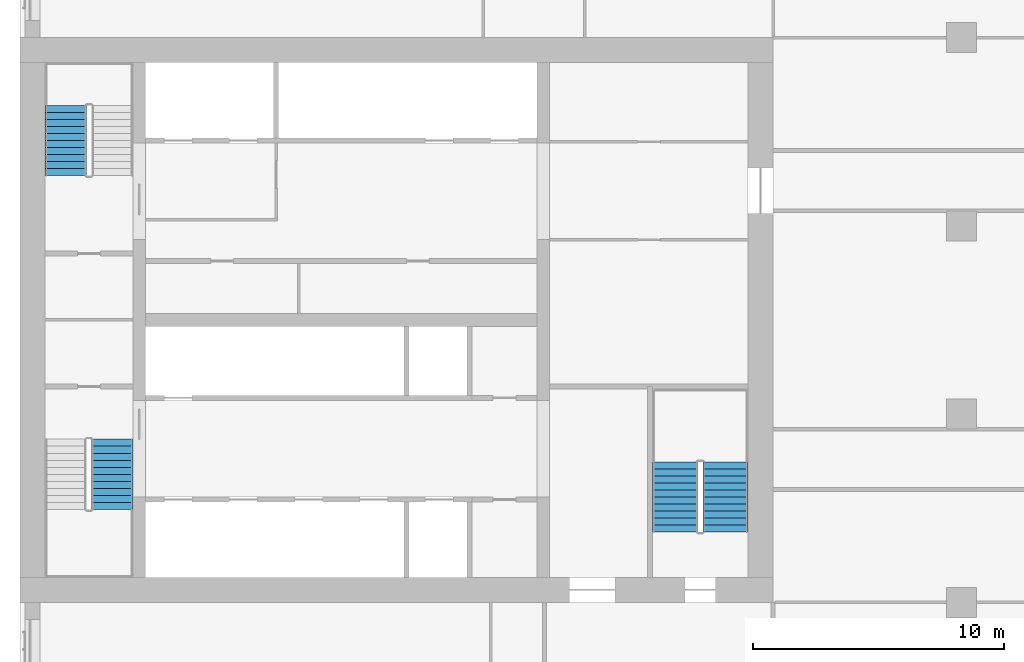
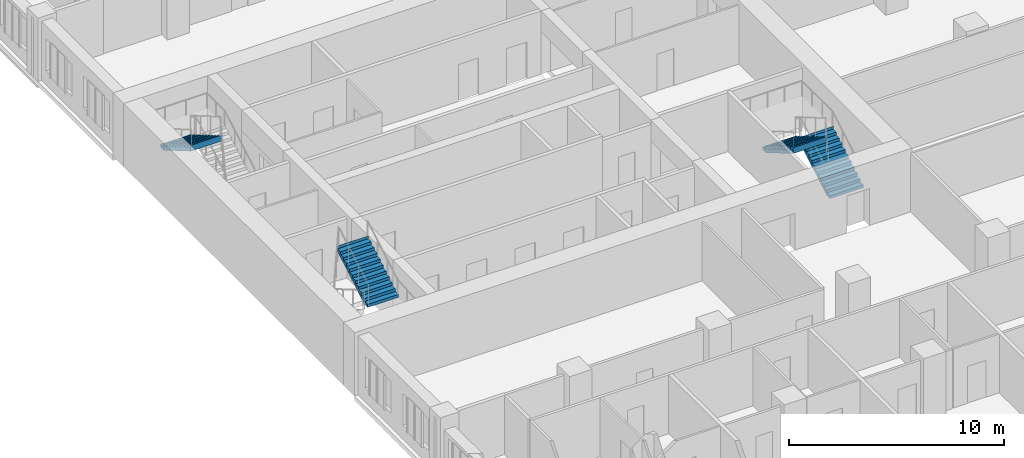
# One storey, part 12 of 14: 4 stair flights, 3 elements without a shape of their own.
"""IFC4 building model written with IfcOpenShell, lengths in metres."""

from ifc_helpers import new_model, si_unit, direction, frame, origin, place, context, subcontext, project, spatial, polyline, outline, extrude, material, type_object, element, aggregate, save


model = new_model("IFC4")

# Units and contexts
model_context = context("Model", 3, precision=1e-05, world=origin(), true_north=direction((0.0, 1.0)))
body_context = subcontext(model_context, "Body", "Model", "MODEL_VIEW")
ifc_project = project(units=[si_unit("LENGTHUNIT", "METRE"), si_unit("AREAUNIT", "SQUARE_METRE"), si_unit("VOLUMEUNIT", "CUBIC_METRE"), si_unit("PLANEANGLEUNIT", "RADIAN"), si_unit("MASSUNIT", "GRAM", prefix="KILO")], contexts=[model_context])

# Site, building, storey
site_placement = place(None, origin())
site = spatial("IfcSite", under=ifc_project, at=site_placement, CompositionType="ELEMENT")
building_placement = place(site_placement, origin())
building = spatial("IfcBuilding", under=site, at=building_placement, Name="Tamorin Gate", CompositionType="ELEMENT")
storey_placement = place(building_placement, frame((0.0, 0.0, 37.60009765625)))
storey = spatial("IfcBuildingStorey", under=building, at=storey_placement, Name="L07", CompositionType="ELEMENT", Elevation=37.60009765625)

# Stair, stair flight
ifc_material = material(Name="Concrete C40/50", Category="concrete")
stair_type = type_object("IfcStairType", Name="Exit stair", PredefinedType="HALF_TURN_STAIR", material=ifc_material)
stair_1_placement = place(storey_placement, origin())
stair_1 = element("IfcStair", 1, at=stair_1_placement, inside=storey, type_object=stair_type, Name="L07 stair ST1", PredefinedType="HALF_TURN_STAIR")
stair_flight_type = type_object("IfcStairFlightType", Name="Exit stair flight", PredefinedType="STRAIGHT", material=ifc_material)
stair_flight_1_placement = place(storey_placement, frame((33.675048828125, 63.699951171875, 1.7998046875), z_axis=(0.0, 0.0, 1.0), x_axis=(0.0, 1.0, 0.0)))
stair_flight_1 = element("IfcStairFlight", 2, at=stair_flight_1_placement, type_object=stair_flight_type, Name="ST1 flight 2", NumberOfRisers=11, NumberOfTreads=10, PredefinedType="STRAIGHT", RiserHeight=0.163636364, TreadLength=0.28, context=body_context, shape_type="SweptSolid", body=[
    extrude(outline(polyline([(-0.00048828125, 0.0), (-0.00048828125, 0.001708984375), (-0.00048828125, 0.003173828125), (-0.00048828125, 0.0048828125), (-0.00048828125, 0.006591796875), (-0.00048828125, 0.008056640625), (-0.00048828125, 0.009765625), (-0.00048828125, 0.01123046875), (-0.00048828125, 0.012939453125), (-0.00048828125, 0.0146484375), (-0.00048828125, 0.01611328125), (-0.00048828125, 0.017822265625), (-0.00048828125, 0.01953125), (-0.00048828125, 0.02099609375), (-0.00048828125, 0.022705078125), (-0.00048828125, 0.0244140625), (-0.00048828125, 0.02587890625), (-0.00048828125, 0.027587890625), (-0.00048828125, 0.029052734375), (-0.00048828125, 0.03076171875), (-0.00048828125, 0.032470703125), (-0.00048828125, 0.033935546875), (-0.00048828125, 0.03564453125), (-0.00048828125, 0.037353515625), (-0.00048828125, 0.038818359375), (-0.00048828125, 0.04052734375), (-0.00048828125, 0.042236328125), (-0.00048828125, 0.043701171875), (-0.00048828125, 0.04541015625), (-0.00048828125, 0.046875), (-0.00048828125, 0.048583984375), (-0.00048828125, 0.05029296875), (-0.00048828125, 0.0517578125), (-0.00048828125, 0.053466796875), (-0.00048828125, 0.05517578125), (-0.00048828125, 0.056640625), (-0.00048828125, 0.058349609375), (-0.00048828125, 0.06005859375), (-0.00048828125, 0.0615234375), (-0.00048828125, 0.063232421875), (-0.00048828125, 0.064697265625), (-0.00048828125, 0.06640625), (-0.00048828125, 0.068115234375), (-0.00048828125, 0.069580078125), (-0.00048828125, 0.0712890625), (-0.00048828125, 0.072998046875), (-0.00048828125, 0.074462890625), (-0.00048828125, 0.076171875), (-0.00048828125, 0.077880859375), (-0.00048828125, 0.079345703125), (-0.00048828125, 0.0810546875), (-0.00048828125, 0.08251953125), (-0.00048828125, 0.084228515625), (-0.00048828125, 0.0859375), (-0.00048828125, 0.08740234375), (-0.00048828125, 0.089111328125), (-0.00048828125, 0.0908203125), (-0.00048828125, 0.09228515625), (-0.00048828125, 0.093994140625), (-0.00048828125, 0.095703125), (-0.00048828125, 0.09716796875), (-0.00048828125, 0.098876953125), (-0.00048828125, 0.100341796875), (-0.00048828125, 0.10205078125), (-0.00048828125, 0.103759765625), (-0.00048828125, 0.105224609375), (-0.00048828125, 0.10693359375), (-0.00048828125, 0.108642578125), (-0.00048828125, 0.110107421875), (-0.00048828125, 0.11181640625), (-0.00048828125, 0.113525390625), (-0.00048828125, 0.114990234375), (-0.00048828125, 0.11669921875), (-0.00048828125, 0.1181640625), (-0.00048828125, 0.119873046875), (-0.00048828125, 0.12158203125), (-0.00048828125, 0.123046875), (-0.00048828125, 0.124755859375), (-0.00048828125, 0.12646484375), (-0.00048828125, 0.1279296875), (-0.00048828125, 0.129638671875), (-0.00048828125, 0.13134765625), (-0.00048828125, 0.1328125), (-0.00048828125, 0.134521484375), (-0.00048828125, 0.135986328125), (-0.00048828125, 0.1376953125), (-0.00048828125, 0.139404296875), (-0.00048828125, 0.140869140625), (-0.00048828125, 0.142578125), (-0.00048828125, 0.144287109375), (-0.00048828125, 0.145751953125), (-0.00048828125, 0.1474609375), (-0.00048828125, 0.149169921875), (-0.00048828125, 0.150634765625), (-0.00048828125, 0.15234375), (-0.00048828125, 0.15380859375), (-0.00048828125, 0.155517578125), (-0.00048828125, 0.1572265625), (-0.00048828125, 0.15869140625), (-0.00048828125, 0.160400390625), (-0.00048828125, 0.162109375), (-0.00048828125, 0.16357421875), (0.280029296875, 0.16357421875), (0.280029296875, 0.327392578125), (0.56005859375, 0.327392578125), (0.56005859375, 0.490966796875), (0.840087890625, 0.490966796875), (0.840087890625, 0.654541015625), (1.1201171875, 0.654541015625), (1.1201171875, 0.818115234375), (1.39990234375, 0.818115234375), (1.39990234375, 0.98193359375), (1.679931640625, 0.98193359375), (1.679931640625, 1.1455078125), (1.9599609375, 1.1455078125), (1.9599609375, 1.30908203125), (2.239990234375, 1.30908203125), (2.239990234375, 1.47265625), (2.52001953125, 1.47265625), (2.52001953125, 1.636474609375), (2.800048828125, 1.636474609375), (2.800048828125, 1.800048828125), (2.800537109375, 1.800048828125), (2.800537109375, 1.796630859375), (2.800537109375, 1.793212890625), (2.800537109375, 1.7900390625), (2.800537109375, 1.78662109375), (2.800537109375, 1.783203125), (2.800537109375, 1.780029296875), (2.800537109375, 1.776611328125), (2.800537109375, 1.773193359375), (2.800537109375, 1.77001953125), (2.800537109375, 1.7666015625), (2.800537109375, 1.76318359375), (2.800537109375, 1.760009765625), (2.800537109375, 1.756591796875), (2.800537109375, 1.753173828125), (2.800537109375, 1.75), (2.800537109375, 1.74658203125), (2.800537109375, 1.7431640625), (2.800537109375, 1.739990234375), (2.800537109375, 1.736572265625), (2.800537109375, 1.733154296875), (2.800537109375, 1.72998046875), (2.800537109375, 1.7265625), (2.800537109375, 1.72314453125), (2.800537109375, 1.719970703125), (2.800537109375, 1.716552734375), (2.800537109375, 1.713134765625), (2.800537109375, 1.7099609375), (2.800537109375, 1.70654296875), (2.800537109375, 1.703125), (2.800537109375, 1.69970703125), (2.800537109375, 1.696533203125), (2.800537109375, 1.693115234375), (2.800537109375, 1.689697265625), (2.800537109375, 1.6865234375), (2.800537109375, 1.68310546875), (2.800537109375, 1.6796875), (2.800537109375, 1.676513671875), (2.800537109375, 1.673095703125), (2.800537109375, 1.669677734375), (2.800537109375, 1.66650390625), (2.800537109375, 1.6630859375), (2.800537109375, 1.65966796875), (2.800537109375, 1.656494140625), (2.800537109375, 1.653076171875), (2.800537109375, 1.649658203125), (2.800537109375, 1.646484375), (2.800537109375, 1.64306640625), (2.800537109375, 1.6396484375), (2.800537109375, 1.636474609375), (2.800537109375, 1.633056640625), (2.800537109375, 1.629638671875), (2.800537109375, 1.62646484375), (2.800537109375, 1.623046875), (2.800537109375, 1.61962890625), (2.800537109375, 1.616455078125), (2.800537109375, 1.613037109375), (2.800537109375, 1.609619140625), (2.800537109375, 1.6064453125), (2.800537109375, 1.60302734375), (2.800537109375, 1.599609375), (2.800537109375, 1.59619140625), (2.800537109375, 1.593017578125), (2.800537109375, 1.589599609375), (2.800537109375, 1.586181640625), (2.800537109375, 1.5830078125), (2.800537109375, 1.57958984375), (2.800537109375, 1.576171875), (2.800537109375, 1.572998046875), (2.800537109375, 1.569580078125), (2.800537109375, 1.566162109375), (2.800537109375, 1.56298828125), (2.800537109375, 1.5595703125), (2.800537109375, 1.55615234375), (2.800537109375, 1.552978515625), (2.800537109375, 1.549560546875), (2.800537109375, 1.546142578125), (2.800537109375, 1.54296875), (2.800537109375, 1.53955078125), (2.800537109375, 1.5361328125), (2.800537109375, 1.532958984375), (2.800537109375, 1.529541015625), (2.800537109375, 1.526123046875), (2.800537109375, 1.52294921875), (2.800537109375, 1.51953125), (2.800537109375, 1.51611328125), (2.800537109375, 1.512939453125), (2.800537109375, 1.509521484375), (2.800537109375, 1.506103515625), (2.800537109375, 1.5029296875), (2.800537109375, 1.49951171875), (2.800537109375, 1.49609375), (2.800537109375, 1.49267578125), (2.800537109375, 1.489501953125), (2.800537109375, 1.486083984375), (2.800537109375, 1.482666015625), (2.800537109375, 1.4794921875), (2.800537109375, 1.47607421875), (2.800537109375, 1.47265625), (2.800537109375, 1.469482421875), (2.800537109375, 1.466064453125), (2.800537109375, 1.462646484375), (2.800048828125, 1.462646484375), (0.297119140625, 0.0), (-0.00048828125, 0.0)])), frame((0.0, 0.824951171875, 0.0), z_axis=(0.0, -1.0, 0.0), x_axis=(1.0, 0.0, 0.0)), (0.0, 0.0, 1.0), 1.64990234375),
])
aggregate(stair_1, [stair_flight_1])

stair_2_placement = place(storey_placement, origin())
stair_2 = element("IfcStair", 3, at=stair_2_placement, inside=storey, type_object=stair_type, Name="L07 stair ST2", PredefinedType="HALF_TURN_STAIR")
stair_flight_2_placement = place(storey_placement, frame((31.824951171875, 79.800048828125, 1.7998046875), z_axis=(0.0, 0.0, 1.0), x_axis=(0.0, -1.0, 0.0)))
stair_flight_2 = element("IfcStairFlight", 4, at=stair_flight_2_placement, type_object=stair_flight_type, Name="ST2 flight 2", NumberOfRisers=11, NumberOfTreads=10, PredefinedType="STRAIGHT", RiserHeight=0.163636364, TreadLength=0.28, context=body_context, shape_type="SweptSolid", body=[
    extrude(outline(polyline([(-0.00048828125, 0.0), (-0.00048828125, 0.001708984375), (-0.00048828125, 0.003173828125), (-0.00048828125, 0.0048828125), (-0.00048828125, 0.006591796875), (-0.00048828125, 0.008056640625), (-0.00048828125, 0.009765625), (-0.00048828125, 0.01123046875), (-0.00048828125, 0.012939453125), (-0.00048828125, 0.0146484375), (-0.00048828125, 0.01611328125), (-0.00048828125, 0.017822265625), (-0.00048828125, 0.01953125), (-0.00048828125, 0.02099609375), (-0.00048828125, 0.022705078125), (-0.00048828125, 0.0244140625), (-0.00048828125, 0.02587890625), (-0.00048828125, 0.027587890625), (-0.00048828125, 0.029052734375), (-0.00048828125, 0.03076171875), (-0.00048828125, 0.032470703125), (-0.00048828125, 0.033935546875), (-0.00048828125, 0.03564453125), (-0.00048828125, 0.037353515625), (-0.00048828125, 0.038818359375), (-0.00048828125, 0.04052734375), (-0.00048828125, 0.042236328125), (-0.00048828125, 0.043701171875), (-0.00048828125, 0.04541015625), (-0.00048828125, 0.046875), (-0.00048828125, 0.048583984375), (-0.00048828125, 0.05029296875), (-0.00048828125, 0.0517578125), (-0.00048828125, 0.053466796875), (-0.00048828125, 0.05517578125), (-0.00048828125, 0.056640625), (-0.00048828125, 0.058349609375), (-0.00048828125, 0.06005859375), (-0.00048828125, 0.0615234375), (-0.00048828125, 0.063232421875), (-0.00048828125, 0.064697265625), (-0.00048828125, 0.06640625), (-0.00048828125, 0.068115234375), (-0.00048828125, 0.069580078125), (-0.00048828125, 0.0712890625), (-0.00048828125, 0.072998046875), (-0.00048828125, 0.074462890625), (-0.00048828125, 0.076171875), (-0.00048828125, 0.077880859375), (-0.00048828125, 0.079345703125), (-0.00048828125, 0.0810546875), (-0.00048828125, 0.08251953125), (-0.00048828125, 0.084228515625), (-0.00048828125, 0.0859375), (-0.00048828125, 0.08740234375), (-0.00048828125, 0.089111328125), (-0.00048828125, 0.0908203125), (-0.00048828125, 0.09228515625), (-0.00048828125, 0.093994140625), (-0.00048828125, 0.095703125), (-0.00048828125, 0.09716796875), (-0.00048828125, 0.098876953125), (-0.00048828125, 0.100341796875), (-0.00048828125, 0.10205078125), (-0.00048828125, 0.103759765625), (-0.00048828125, 0.105224609375), (-0.00048828125, 0.10693359375), (-0.00048828125, 0.108642578125), (-0.00048828125, 0.110107421875), (-0.00048828125, 0.11181640625), (-0.00048828125, 0.113525390625), (-0.00048828125, 0.114990234375), (-0.00048828125, 0.11669921875), (-0.00048828125, 0.1181640625), (-0.00048828125, 0.119873046875), (-0.00048828125, 0.12158203125), (-0.00048828125, 0.123046875), (-0.00048828125, 0.124755859375), (-0.00048828125, 0.12646484375), (-0.00048828125, 0.1279296875), (-0.00048828125, 0.129638671875), (-0.00048828125, 0.13134765625), (-0.00048828125, 0.1328125), (-0.00048828125, 0.134521484375), (-0.00048828125, 0.135986328125), (-0.00048828125, 0.1376953125), (-0.00048828125, 0.139404296875), (-0.00048828125, 0.140869140625), (-0.00048828125, 0.142578125), (-0.00048828125, 0.144287109375), (-0.00048828125, 0.145751953125), (-0.00048828125, 0.1474609375), (-0.00048828125, 0.149169921875), (-0.00048828125, 0.150634765625), (-0.00048828125, 0.15234375), (-0.00048828125, 0.15380859375), (-0.00048828125, 0.155517578125), (-0.00048828125, 0.1572265625), (-0.00048828125, 0.15869140625), (-0.00048828125, 0.160400390625), (-0.00048828125, 0.162109375), (-0.00048828125, 0.16357421875), (0.280029296875, 0.16357421875), (0.280029296875, 0.327392578125), (0.56005859375, 0.327392578125), (0.56005859375, 0.490966796875), (0.840087890625, 0.490966796875), (0.840087890625, 0.654541015625), (1.1201171875, 0.654541015625), (1.1201171875, 0.818115234375), (1.39990234375, 0.818115234375), (1.39990234375, 0.98193359375), (1.679931640625, 0.98193359375), (1.679931640625, 1.1455078125), (1.9599609375, 1.1455078125), (1.9599609375, 1.30908203125), (2.239990234375, 1.30908203125), (2.239990234375, 1.47265625), (2.52001953125, 1.47265625), (2.52001953125, 1.636474609375), (2.800048828125, 1.636474609375), (2.800048828125, 1.800048828125), (2.800537109375, 1.800048828125), (2.800537109375, 1.796630859375), (2.800537109375, 1.793212890625), (2.800537109375, 1.7900390625), (2.800537109375, 1.78662109375), (2.800537109375, 1.783203125), (2.800537109375, 1.780029296875), (2.800537109375, 1.776611328125), (2.800537109375, 1.773193359375), (2.800537109375, 1.77001953125), (2.800537109375, 1.7666015625), (2.800537109375, 1.76318359375), (2.800537109375, 1.760009765625), (2.800537109375, 1.756591796875), (2.800537109375, 1.753173828125), (2.800537109375, 1.75), (2.800537109375, 1.74658203125), (2.800537109375, 1.7431640625), (2.800537109375, 1.739990234375), (2.800537109375, 1.736572265625), (2.800537109375, 1.733154296875), (2.800537109375, 1.72998046875), (2.800537109375, 1.7265625), (2.800537109375, 1.72314453125), (2.800537109375, 1.719970703125), (2.800537109375, 1.716552734375), (2.800537109375, 1.713134765625), (2.800537109375, 1.7099609375), (2.800537109375, 1.70654296875), (2.800537109375, 1.703125), (2.800537109375, 1.69970703125), (2.800537109375, 1.696533203125), (2.800537109375, 1.693115234375), (2.800537109375, 1.689697265625), (2.800537109375, 1.6865234375), (2.800537109375, 1.68310546875), (2.800537109375, 1.6796875), (2.800537109375, 1.676513671875), (2.800537109375, 1.673095703125), (2.800537109375, 1.669677734375), (2.800537109375, 1.66650390625), (2.800537109375, 1.6630859375), (2.800537109375, 1.65966796875), (2.800537109375, 1.656494140625), (2.800537109375, 1.653076171875), (2.800537109375, 1.649658203125), (2.800537109375, 1.646484375), (2.800537109375, 1.64306640625), (2.800537109375, 1.6396484375), (2.800537109375, 1.636474609375), (2.800537109375, 1.633056640625), (2.800537109375, 1.629638671875), (2.800537109375, 1.62646484375), (2.800537109375, 1.623046875), (2.800537109375, 1.61962890625), (2.800537109375, 1.616455078125), (2.800537109375, 1.613037109375), (2.800537109375, 1.609619140625), (2.800537109375, 1.6064453125), (2.800537109375, 1.60302734375), (2.800537109375, 1.599609375), (2.800537109375, 1.59619140625), (2.800537109375, 1.593017578125), (2.800537109375, 1.589599609375), (2.800537109375, 1.586181640625), (2.800537109375, 1.5830078125), (2.800537109375, 1.57958984375), (2.800537109375, 1.576171875), (2.800537109375, 1.572998046875), (2.800537109375, 1.569580078125), (2.800537109375, 1.566162109375), (2.800537109375, 1.56298828125), (2.800537109375, 1.5595703125), (2.800537109375, 1.55615234375), (2.800537109375, 1.552978515625), (2.800537109375, 1.549560546875), (2.800537109375, 1.546142578125), (2.800537109375, 1.54296875), (2.800537109375, 1.53955078125), (2.800537109375, 1.5361328125), (2.800537109375, 1.532958984375), (2.800537109375, 1.529541015625), (2.800537109375, 1.526123046875), (2.800537109375, 1.52294921875), (2.800537109375, 1.51953125), (2.800537109375, 1.51611328125), (2.800537109375, 1.512939453125), (2.800537109375, 1.509521484375), (2.800537109375, 1.506103515625), (2.800537109375, 1.5029296875), (2.800537109375, 1.49951171875), (2.800537109375, 1.49609375), (2.800537109375, 1.49267578125), (2.800537109375, 1.489501953125), (2.800537109375, 1.486083984375), (2.800537109375, 1.482666015625), (2.800537109375, 1.4794921875), (2.800537109375, 1.47607421875), (2.800537109375, 1.47265625), (2.800537109375, 1.469482421875), (2.800537109375, 1.466064453125), (2.800537109375, 1.462646484375), (2.800048828125, 1.462646484375), (0.297119140625, 0.0), (-0.00048828125, 0.0)])), frame((0.0, 0.824951171875, 0.0), z_axis=(0.0, -1.0, 0.0), x_axis=(1.0, 0.0, 0.0)), (0.0, 0.0, 1.0), 1.64990234375),
])
aggregate(stair_2, [stair_flight_2])

# Stair, stair flights
stair_3_placement = place(storey_placement, origin())
stair_3 = element("IfcStair", 5, at=stair_3_placement, inside=storey, type_object=stair_type, Name="L07 stair ST3", PredefinedType="HALF_TURN_STAIR")
stair_flight_3_placement = place(storey_placement, frame((58.10009765625, 62.800048828125, 0.0), z_axis=(0.0, 0.0, 1.0), x_axis=(0.0, 1.0, 0.0)))
stair_flight_3 = element("IfcStairFlight", 6, at=stair_flight_3_placement, type_object=stair_flight_type, Name="ST3 flight 1", NumberOfRisers=11, NumberOfTreads=10, PredefinedType="STRAIGHT", RiserHeight=0.163636364, TreadLength=0.28, context=body_context, shape_type="SweptSolid", body=[
    extrude(outline(polyline([(-0.00048828125, 0.0), (-0.00048828125, 0.001708984375), (-0.00048828125, 0.003173828125), (-0.00048828125, 0.0048828125), (-0.00048828125, 0.006591796875), (-0.00048828125, 0.008056640625), (-0.00048828125, 0.009765625), (-0.00048828125, 0.01123046875), (-0.00048828125, 0.012939453125), (-0.00048828125, 0.0146484375), (-0.00048828125, 0.01611328125), (-0.00048828125, 0.017822265625), (-0.00048828125, 0.01953125), (-0.00048828125, 0.02099609375), (-0.00048828125, 0.022705078125), (-0.00048828125, 0.0244140625), (-0.00048828125, 0.02587890625), (-0.00048828125, 0.027587890625), (-0.00048828125, 0.029052734375), (-0.00048828125, 0.03076171875), (-0.00048828125, 0.032470703125), (-0.00048828125, 0.033935546875), (-0.00048828125, 0.03564453125), (-0.00048828125, 0.037353515625), (-0.00048828125, 0.038818359375), (-0.00048828125, 0.04052734375), (-0.00048828125, 0.042236328125), (-0.00048828125, 0.043701171875), (-0.00048828125, 0.04541015625), (-0.00048828125, 0.046875), (-0.00048828125, 0.048583984375), (-0.00048828125, 0.05029296875), (-0.00048828125, 0.0517578125), (-0.00048828125, 0.053466796875), (-0.00048828125, 0.05517578125), (-0.00048828125, 0.056640625), (-0.00048828125, 0.058349609375), (-0.00048828125, 0.06005859375), (-0.00048828125, 0.0615234375), (-0.00048828125, 0.063232421875), (-0.00048828125, 0.064697265625), (-0.00048828125, 0.06640625), (-0.00048828125, 0.068115234375), (-0.00048828125, 0.069580078125), (-0.00048828125, 0.0712890625), (-0.00048828125, 0.072998046875), (-0.00048828125, 0.074462890625), (-0.00048828125, 0.076171875), (-0.00048828125, 0.077880859375), (-0.00048828125, 0.079345703125), (-0.00048828125, 0.0810546875), (-0.00048828125, 0.08251953125), (-0.00048828125, 0.084228515625), (-0.00048828125, 0.0859375), (-0.00048828125, 0.08740234375), (-0.00048828125, 0.089111328125), (-0.00048828125, 0.0908203125), (-0.00048828125, 0.09228515625), (-0.00048828125, 0.093994140625), (-0.00048828125, 0.095703125), (-0.00048828125, 0.09716796875), (-0.00048828125, 0.098876953125), (-0.00048828125, 0.100341796875), (-0.00048828125, 0.10205078125), (-0.00048828125, 0.103759765625), (-0.00048828125, 0.105224609375), (-0.00048828125, 0.10693359375), (-0.00048828125, 0.108642578125), (-0.00048828125, 0.110107421875), (-0.00048828125, 0.11181640625), (-0.00048828125, 0.113525390625), (-0.00048828125, 0.114990234375), (-0.00048828125, 0.11669921875), (-0.00048828125, 0.1181640625), (-0.00048828125, 0.119873046875), (-0.00048828125, 0.12158203125), (-0.00048828125, 0.123046875), (-0.00048828125, 0.124755859375), (-0.00048828125, 0.12646484375), (-0.00048828125, 0.1279296875), (-0.00048828125, 0.129638671875), (-0.00048828125, 0.13134765625), (-0.00048828125, 0.1328125), (-0.00048828125, 0.134521484375), (-0.00048828125, 0.135986328125), (-0.00048828125, 0.1376953125), (-0.00048828125, 0.139404296875), (-0.00048828125, 0.140869140625), (-0.00048828125, 0.142578125), (-0.00048828125, 0.144287109375), (-0.00048828125, 0.145751953125), (-0.00048828125, 0.1474609375), (-0.00048828125, 0.149169921875), (-0.00048828125, 0.150634765625), (-0.00048828125, 0.15234375), (-0.00048828125, 0.15380859375), (-0.00048828125, 0.155517578125), (-0.00048828125, 0.1572265625), (-0.00048828125, 0.15869140625), (-0.00048828125, 0.160400390625), (-0.00048828125, 0.162109375), (-0.00048828125, 0.16357421875), (0.280029296875, 0.16357421875), (0.280029296875, 0.327392578125), (0.56005859375, 0.327392578125), (0.56005859375, 0.490966796875), (0.840087890625, 0.490966796875), (0.840087890625, 0.654541015625), (1.1201171875, 0.654541015625), (1.1201171875, 0.818115234375), (1.39990234375, 0.818115234375), (1.39990234375, 0.98193359375), (1.679931640625, 0.98193359375), (1.679931640625, 1.1455078125), (1.9599609375, 1.1455078125), (1.9599609375, 1.30908203125), (2.239990234375, 1.30908203125), (2.239990234375, 1.47265625), (2.52001953125, 1.47265625), (2.52001953125, 1.636474609375), (2.800048828125, 1.636474609375), (2.800048828125, 1.800048828125), (2.800537109375, 1.800048828125), (2.800537109375, 1.796630859375), (2.800537109375, 1.793212890625), (2.800537109375, 1.7900390625), (2.800537109375, 1.78662109375), (2.800537109375, 1.783203125), (2.800537109375, 1.780029296875), (2.800537109375, 1.776611328125), (2.800537109375, 1.773193359375), (2.800537109375, 1.77001953125), (2.800537109375, 1.7666015625), (2.800537109375, 1.76318359375), (2.800537109375, 1.760009765625), (2.800537109375, 1.756591796875), (2.800537109375, 1.753173828125), (2.800537109375, 1.75), (2.800537109375, 1.74658203125), (2.800537109375, 1.7431640625), (2.800537109375, 1.739990234375), (2.800537109375, 1.736572265625), (2.800537109375, 1.733154296875), (2.800537109375, 1.72998046875), (2.800537109375, 1.7265625), (2.800537109375, 1.72314453125), (2.800537109375, 1.719970703125), (2.800537109375, 1.716552734375), (2.800537109375, 1.713134765625), (2.800537109375, 1.7099609375), (2.800537109375, 1.70654296875), (2.800537109375, 1.703125), (2.800537109375, 1.69970703125), (2.800537109375, 1.696533203125), (2.800537109375, 1.693115234375), (2.800537109375, 1.689697265625), (2.800537109375, 1.6865234375), (2.800537109375, 1.68310546875), (2.800537109375, 1.6796875), (2.800537109375, 1.676513671875), (2.800537109375, 1.673095703125), (2.800537109375, 1.669677734375), (2.800537109375, 1.66650390625), (2.800537109375, 1.6630859375), (2.800537109375, 1.65966796875), (2.800537109375, 1.656494140625), (2.800537109375, 1.653076171875), (2.800537109375, 1.649658203125), (2.800537109375, 1.646484375), (2.800537109375, 1.64306640625), (2.800537109375, 1.6396484375), (2.800537109375, 1.636474609375), (2.800537109375, 1.633056640625), (2.800537109375, 1.629638671875), (2.800537109375, 1.62646484375), (2.800537109375, 1.623046875), (2.800537109375, 1.61962890625), (2.800537109375, 1.616455078125), (2.800537109375, 1.613037109375), (2.800537109375, 1.609619140625), (2.800537109375, 1.6064453125), (2.800537109375, 1.60302734375), (2.800537109375, 1.599609375), (2.800537109375, 1.59619140625), (2.800537109375, 1.593017578125), (2.800537109375, 1.589599609375), (2.800537109375, 1.586181640625), (2.800537109375, 1.5830078125), (2.800537109375, 1.57958984375), (2.800537109375, 1.576171875), (2.800537109375, 1.572998046875), (2.800537109375, 1.569580078125), (2.800537109375, 1.566162109375), (2.800537109375, 1.56298828125), (2.800537109375, 1.5595703125), (2.800537109375, 1.55615234375), (2.800537109375, 1.552978515625), (2.800537109375, 1.549560546875), (2.800537109375, 1.546142578125), (2.800537109375, 1.54296875), (2.800537109375, 1.53955078125), (2.800537109375, 1.5361328125), (2.800537109375, 1.532958984375), (2.800537109375, 1.529541015625), (2.800537109375, 1.526123046875), (2.800537109375, 1.52294921875), (2.800537109375, 1.51953125), (2.800537109375, 1.51611328125), (2.800537109375, 1.512939453125), (2.800537109375, 1.509521484375), (2.800537109375, 1.506103515625), (2.800537109375, 1.5029296875), (2.800537109375, 1.49951171875), (2.800537109375, 1.49609375), (2.800537109375, 1.49267578125), (2.800537109375, 1.489501953125), (2.800537109375, 1.486083984375), (2.800537109375, 1.482666015625), (2.800537109375, 1.4794921875), (2.800537109375, 1.47607421875), (2.800537109375, 1.47265625), (2.800537109375, 1.469482421875), (2.800537109375, 1.466064453125), (2.800537109375, 1.462646484375), (2.800048828125, 1.462646484375), (0.297119140625, 0.0), (-0.00048828125, 0.0)])), frame((0.0, 0.89990234375, 0.0), z_axis=(0.0, -1.0, 0.0), x_axis=(1.0, 0.0, 0.0)), (0.0, 0.0, 1.0), 1.800048828125),
])
stair_flight_4_placement = place(storey_placement, frame((56.10009765625, 65.60009765625, 1.7998046875), z_axis=(0.0, 0.0, 1.0), x_axis=(0.0, -1.0, 0.0)))
stair_flight_4 = element("IfcStairFlight", 7, at=stair_flight_4_placement, type_object=stair_flight_type, Name="ST3 flight 2", NumberOfRisers=11, NumberOfTreads=10, PredefinedType="STRAIGHT", RiserHeight=0.163636364, TreadLength=0.28, context=body_context, shape_type="SweptSolid", body=[
    extrude(outline(polyline([(-0.00048828125, 0.0), (-0.00048828125, 0.001708984375), (-0.00048828125, 0.003173828125), (-0.00048828125, 0.0048828125), (-0.00048828125, 0.006591796875), (-0.00048828125, 0.008056640625), (-0.00048828125, 0.009765625), (-0.00048828125, 0.01123046875), (-0.00048828125, 0.012939453125), (-0.00048828125, 0.0146484375), (-0.00048828125, 0.01611328125), (-0.00048828125, 0.017822265625), (-0.00048828125, 0.01953125), (-0.00048828125, 0.02099609375), (-0.00048828125, 0.022705078125), (-0.00048828125, 0.0244140625), (-0.00048828125, 0.02587890625), (-0.00048828125, 0.027587890625), (-0.00048828125, 0.029052734375), (-0.00048828125, 0.03076171875), (-0.00048828125, 0.032470703125), (-0.00048828125, 0.033935546875), (-0.00048828125, 0.03564453125), (-0.00048828125, 0.037353515625), (-0.00048828125, 0.038818359375), (-0.00048828125, 0.04052734375), (-0.00048828125, 0.042236328125), (-0.00048828125, 0.043701171875), (-0.00048828125, 0.04541015625), (-0.00048828125, 0.046875), (-0.00048828125, 0.048583984375), (-0.00048828125, 0.05029296875), (-0.00048828125, 0.0517578125), (-0.00048828125, 0.053466796875), (-0.00048828125, 0.05517578125), (-0.00048828125, 0.056640625), (-0.00048828125, 0.058349609375), (-0.00048828125, 0.06005859375), (-0.00048828125, 0.0615234375), (-0.00048828125, 0.063232421875), (-0.00048828125, 0.064697265625), (-0.00048828125, 0.06640625), (-0.00048828125, 0.068115234375), (-0.00048828125, 0.069580078125), (-0.00048828125, 0.0712890625), (-0.00048828125, 0.072998046875), (-0.00048828125, 0.074462890625), (-0.00048828125, 0.076171875), (-0.00048828125, 0.077880859375), (-0.00048828125, 0.079345703125), (-0.00048828125, 0.0810546875), (-0.00048828125, 0.08251953125), (-0.00048828125, 0.084228515625), (-0.00048828125, 0.0859375), (-0.00048828125, 0.08740234375), (-0.00048828125, 0.089111328125), (-0.00048828125, 0.0908203125), (-0.00048828125, 0.09228515625), (-0.00048828125, 0.093994140625), (-0.00048828125, 0.095703125), (-0.00048828125, 0.09716796875), (-0.00048828125, 0.098876953125), (-0.00048828125, 0.100341796875), (-0.00048828125, 0.10205078125), (-0.00048828125, 0.103759765625), (-0.00048828125, 0.105224609375), (-0.00048828125, 0.10693359375), (-0.00048828125, 0.108642578125), (-0.00048828125, 0.110107421875), (-0.00048828125, 0.11181640625), (-0.00048828125, 0.113525390625), (-0.00048828125, 0.114990234375), (-0.00048828125, 0.11669921875), (-0.00048828125, 0.1181640625), (-0.00048828125, 0.119873046875), (-0.00048828125, 0.12158203125), (-0.00048828125, 0.123046875), (-0.00048828125, 0.124755859375), (-0.00048828125, 0.12646484375), (-0.00048828125, 0.1279296875), (-0.00048828125, 0.129638671875), (-0.00048828125, 0.13134765625), (-0.00048828125, 0.1328125), (-0.00048828125, 0.134521484375), (-0.00048828125, 0.135986328125), (-0.00048828125, 0.1376953125), (-0.00048828125, 0.139404296875), (-0.00048828125, 0.140869140625), (-0.00048828125, 0.142578125), (-0.00048828125, 0.144287109375), (-0.00048828125, 0.145751953125), (-0.00048828125, 0.1474609375), (-0.00048828125, 0.149169921875), (-0.00048828125, 0.150634765625), (-0.00048828125, 0.15234375), (-0.00048828125, 0.15380859375), (-0.00048828125, 0.155517578125), (-0.00048828125, 0.1572265625), (-0.00048828125, 0.15869140625), (-0.00048828125, 0.160400390625), (-0.00048828125, 0.162109375), (-0.00048828125, 0.16357421875), (0.280029296875, 0.16357421875), (0.280029296875, 0.327392578125), (0.56005859375, 0.327392578125), (0.56005859375, 0.490966796875), (0.840087890625, 0.490966796875), (0.840087890625, 0.654541015625), (1.1201171875, 0.654541015625), (1.1201171875, 0.818115234375), (1.39990234375, 0.818115234375), (1.39990234375, 0.98193359375), (1.679931640625, 0.98193359375), (1.679931640625, 1.1455078125), (1.9599609375, 1.1455078125), (1.9599609375, 1.30908203125), (2.239990234375, 1.30908203125), (2.239990234375, 1.47265625), (2.52001953125, 1.47265625), (2.52001953125, 1.636474609375), (2.800048828125, 1.636474609375), (2.800048828125, 1.800048828125), (2.800537109375, 1.800048828125), (2.800537109375, 1.796630859375), (2.800537109375, 1.793212890625), (2.800537109375, 1.7900390625), (2.800537109375, 1.78662109375), (2.800537109375, 1.783203125), (2.800537109375, 1.780029296875), (2.800537109375, 1.776611328125), (2.800537109375, 1.773193359375), (2.800537109375, 1.77001953125), (2.800537109375, 1.7666015625), (2.800537109375, 1.76318359375), (2.800537109375, 1.760009765625), (2.800537109375, 1.756591796875), (2.800537109375, 1.753173828125), (2.800537109375, 1.75), (2.800537109375, 1.74658203125), (2.800537109375, 1.7431640625), (2.800537109375, 1.739990234375), (2.800537109375, 1.736572265625), (2.800537109375, 1.733154296875), (2.800537109375, 1.72998046875), (2.800537109375, 1.7265625), (2.800537109375, 1.72314453125), (2.800537109375, 1.719970703125), (2.800537109375, 1.716552734375), (2.800537109375, 1.713134765625), (2.800537109375, 1.7099609375), (2.800537109375, 1.70654296875), (2.800537109375, 1.703125), (2.800537109375, 1.69970703125), (2.800537109375, 1.696533203125), (2.800537109375, 1.693115234375), (2.800537109375, 1.689697265625), (2.800537109375, 1.6865234375), (2.800537109375, 1.68310546875), (2.800537109375, 1.6796875), (2.800537109375, 1.676513671875), (2.800537109375, 1.673095703125), (2.800537109375, 1.669677734375), (2.800537109375, 1.66650390625), (2.800537109375, 1.6630859375), (2.800537109375, 1.65966796875), (2.800537109375, 1.656494140625), (2.800537109375, 1.653076171875), (2.800537109375, 1.649658203125), (2.800537109375, 1.646484375), (2.800537109375, 1.64306640625), (2.800537109375, 1.6396484375), (2.800537109375, 1.636474609375), (2.800537109375, 1.633056640625), (2.800537109375, 1.629638671875), (2.800537109375, 1.62646484375), (2.800537109375, 1.623046875), (2.800537109375, 1.61962890625), (2.800537109375, 1.616455078125), (2.800537109375, 1.613037109375), (2.800537109375, 1.609619140625), (2.800537109375, 1.6064453125), (2.800537109375, 1.60302734375), (2.800537109375, 1.599609375), (2.800537109375, 1.59619140625), (2.800537109375, 1.593017578125), (2.800537109375, 1.589599609375), (2.800537109375, 1.586181640625), (2.800537109375, 1.5830078125), (2.800537109375, 1.57958984375), (2.800537109375, 1.576171875), (2.800537109375, 1.572998046875), (2.800537109375, 1.569580078125), (2.800537109375, 1.566162109375), (2.800537109375, 1.56298828125), (2.800537109375, 1.5595703125), (2.800537109375, 1.55615234375), (2.800537109375, 1.552978515625), (2.800537109375, 1.549560546875), (2.800537109375, 1.546142578125), (2.800537109375, 1.54296875), (2.800537109375, 1.53955078125), (2.800537109375, 1.5361328125), (2.800537109375, 1.532958984375), (2.800537109375, 1.529541015625), (2.800537109375, 1.526123046875), (2.800537109375, 1.52294921875), (2.800537109375, 1.51953125), (2.800537109375, 1.51611328125), (2.800537109375, 1.512939453125), (2.800537109375, 1.509521484375), (2.800537109375, 1.506103515625), (2.800537109375, 1.5029296875), (2.800537109375, 1.49951171875), (2.800537109375, 1.49609375), (2.800537109375, 1.49267578125), (2.800537109375, 1.489501953125), (2.800537109375, 1.486083984375), (2.800537109375, 1.482666015625), (2.800537109375, 1.4794921875), (2.800537109375, 1.47607421875), (2.800537109375, 1.47265625), (2.800537109375, 1.469482421875), (2.800537109375, 1.466064453125), (2.800537109375, 1.462646484375), (2.800048828125, 1.462646484375), (0.297119140625, 0.0), (-0.00048828125, 0.0)])), frame((0.0, 0.89990234375, 0.0), z_axis=(0.0, -1.0, 0.0), x_axis=(1.0, 0.0, 0.0)), (0.0, 0.0, 1.0), 1.800048828125),
])
aggregate(stair_3, [stair_flight_3, stair_flight_4])

save(model, "model.ifc")
